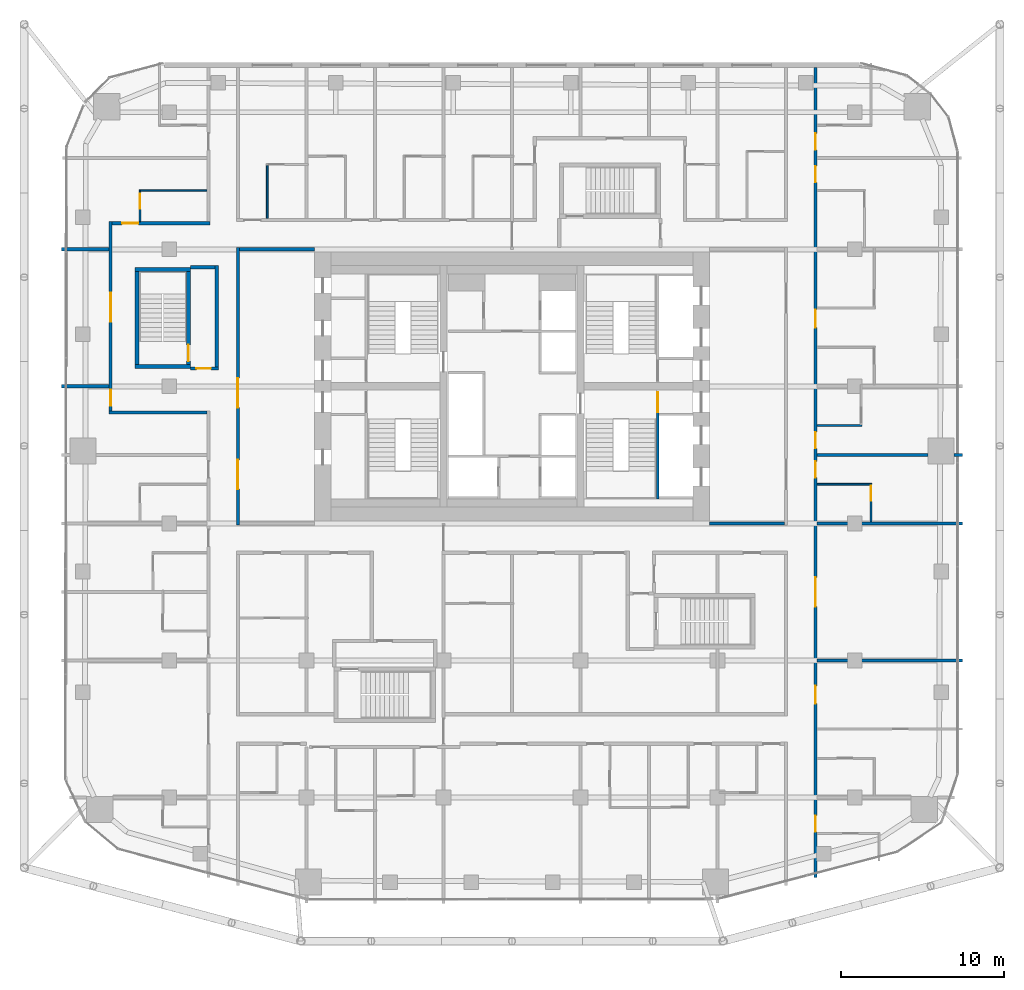
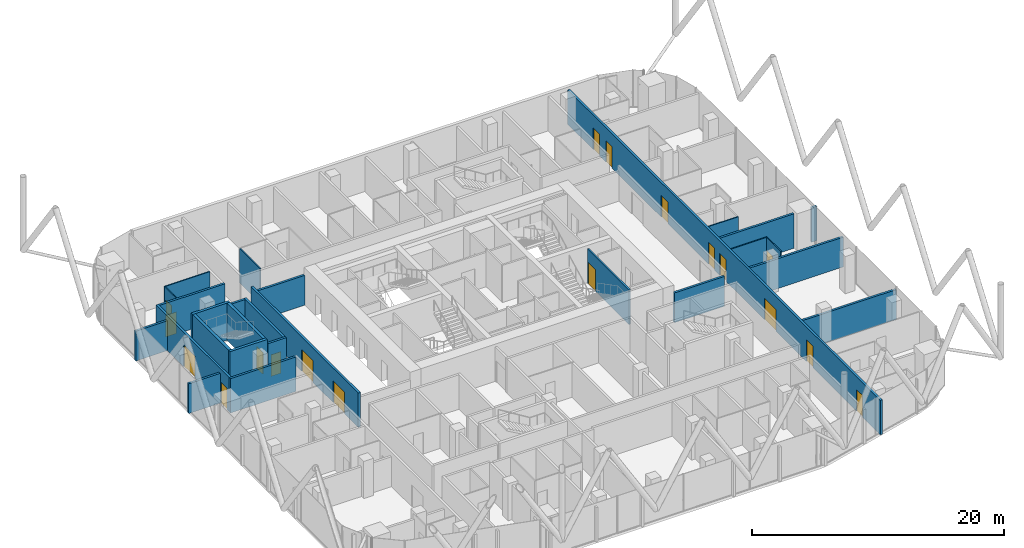
# One storey, part 27 of 33: 27 walls, 18 doors, 18 openings.
"""IFC4 building model written with IfcOpenShell, lengths in metres."""

from ifc_helpers import new_model, si_unit, direction, frame, frame_2d, origin, place, context, subcontext, project, spatial, rectangle, extrude, material, layer, layer_set, type_object, element, fill, save


model = new_model("IFC4")

# Units and contexts
model_context = context("Model", 3, precision=1e-05, world=origin(), true_north=direction((0.0, 1.0)))
body_context = subcontext(model_context, "Body", "Model", "MODEL_VIEW")
ifc_project = project(units=[si_unit("LENGTHUNIT", "METRE"), si_unit("AREAUNIT", "SQUARE_METRE"), si_unit("VOLUMEUNIT", "CUBIC_METRE"), si_unit("PLANEANGLEUNIT", "RADIAN"), si_unit("MASSUNIT", "GRAM", prefix="KILO")], contexts=[model_context])

# Site, building, storey
site_placement = place(None, origin())
site = spatial("IfcSite", under=ifc_project, at=site_placement, CompositionType="ELEMENT")
building_placement = place(site_placement, origin())
building = spatial("IfcBuilding", under=site, at=building_placement, Name="Marenta Gate Hotel Tower", CompositionType="ELEMENT")
storey_placement = place(building_placement, frame((0.0, 0.0, 122.89990234375)))
storey = spatial("IfcBuildingStorey", under=building, at=storey_placement, Name="L27", CompositionType="ELEMENT", Elevation=122.89990234375)

# Wall, openings, doors
ifc_material_1 = material(Name="Concrete blockwork", Category="masonry")
ifc_layer_1 = layer(ifc_material_1, 0.199951171875)
ifc_layer_set_1 = layer_set([ifc_layer_1], Name="Concrete blockwork")
wall_type_1 = type_object("IfcWallType", Name="Core boundary wall 200 REI 180", PredefinedType="PARTITIONING", material=ifc_layer_set_1)
wall_1_placement = place(storey_placement, frame((-16.800048828125, -0.10009765625, 0.0), z_axis=(0.0, 0.0, 1.0), x_axis=(0.0, 1.0, 0.0)))
wall_1 = element("IfcWall", 1, at=wall_1_placement, inside=storey, type_object=wall_type_1, Name="L27-CP-BW-W", PredefinedType="PARTITIONING", context=body_context, shape_type="SweptSolid", body=[
    extrude(rectangle(XDim=17.0, YDim=0.199951171875, at=frame_2d((8.5, 0.0))), origin(), (0.0, 0.0, 1.0), 3.340087890625),
])
opening_1_placement = place(wall_1_placement, frame((2.199951171875, 0.0, 0.0)))
opening_1 = element("IfcOpeningElement", 2, at=opening_1_placement, cuts=wall_1, Name="Opening ED-Wa-B", PredefinedType="OPENING", context=body_context, shape_type="SweptSolid", body=[
    extrude(rectangle(XDim=1.800048828125, YDim=2.10009765625, at=frame_2d((0.89990234375, 1.050048828125))), frame((0.0, 0.10009765625, 0.0), z_axis=(0.0, -1.0, 0.0), x_axis=(1.0, 0.0, 0.0)), (0.0, 0.0, 1.0), 0.199951171875),
])
opening_2_placement = place(wall_1_placement, frame((7.199951171875, 0.0, 0.0)))
opening_2 = element("IfcOpeningElement", 3, at=opening_2_placement, cuts=wall_1, Name="Opening ED-Wb-B", PredefinedType="OPENING", context=body_context, shape_type="SweptSolid", body=[
    extrude(rectangle(XDim=1.800048828125, YDim=2.10009765625, at=frame_2d((0.89990234375, 1.050048828125))), frame((0.0, 0.10009765625, 0.0), z_axis=(0.0, -1.0, 0.0), x_axis=(1.0, 0.0, 0.0)), (0.0, 0.0, 1.0), 0.199951171875),
])
ifc_material_2 = material(Name="Steel", Category="steel")
door_type_1 = type_object("IfcDoorType", Name="Core lobby entrance door 1800x2100 EI 60", OperationType="DOUBLE_DOOR_SINGLE_SWING", PredefinedType="DOOR", material=ifc_material_2)
door_1_placement = place(opening_1_placement, origin())
door_1 = element("IfcDoor", 4, at=door_1_placement, inside=storey, type_object=door_type_1, Name="ED-Wa-B", OperationType="DOUBLE_DOOR_SINGLE_SWING", OverallHeight=2.10009765625, OverallWidth=1.800048828125, PredefinedType="DOOR", context=body_context, shape_type="SweptSolid", body=[
    extrude(rectangle(XDim=1.800048828125, YDim=2.10009765625, at=frame_2d((0.89990234375, 1.050048828125))), frame((0.0, 0.02490234375, 0.0), z_axis=(0.0, -1.0, 0.0), x_axis=(1.0, 0.0, 0.0)), (0.0, 0.0, 1.0), 0.050048828125),
])
fill(opening_1, door_1)
door_2_placement = place(opening_2_placement, origin())
door_2 = element("IfcDoor", 5, at=door_2_placement, inside=storey, type_object=door_type_1, Name="ED-Wb-B", OperationType="DOUBLE_DOOR_SINGLE_SWING", OverallHeight=2.10009765625, OverallWidth=1.800048828125, PredefinedType="DOOR", context=body_context, shape_type="SweptSolid", body=[
    extrude(rectangle(XDim=1.800048828125, YDim=2.10009765625, at=frame_2d((0.89990234375, 1.050048828125))), frame((0.0, 0.02490234375, 0.0), z_axis=(0.0, -1.0, 0.0), x_axis=(1.0, 0.0, 0.0)), (0.0, 0.0, 1.0), 0.050048828125),
])
fill(opening_2, door_2)

# Walls
for number, where, z_axis, x_axis, name in (
    (6, (-16.699951171875, 16.800048828125, 0.0), (0.0, 0.0, 1.0), (1.0, 0.0, 0.0), "L27-CP-EW-WN"),
    (7, (12.10009765625, 0.0, 0.0), (0.0, 0.0, 1.0), (1.0, 0.0, 0.0), "L27-CP-EW-ES"),
):
    element("IfcWall", number, at=place(storey_placement, frame(where, z_axis=z_axis, x_axis=x_axis)), inside=storey, type_object=wall_type_1, Name=name, PredefinedType="PARTITIONING", context=body_context, shape_type="SweptSolid", body=[
        extrude(rectangle(XDim=4.599853515625, YDim=0.199951171875, at=frame_2d((2.2998046875, 0.0))), origin(), (0.0, 0.0, 1.0), 2.89013671875),
    ])

# Wall, opening, door
ifc_material_3 = material(Name="Concrete C40", Category="concrete")
ifc_layer_2 = layer(ifc_material_3, 0.14990234375)
ifc_layer_set_2 = layer_set([ifc_layer_2], Name="Concrete C40")
wall_type_2 = type_object("IfcWallType", Name="Core stair enclosure wall 150 REI 180", PredefinedType="SHEAR", material=ifc_layer_set_2)
wall_2_placement = place(storey_placement, frame((8.925048828125, 1.5, 0.0), z_axis=(0.0, 0.0, 1.0), x_axis=(0.0, 1.0, 0.0)))
wall_2 = element("IfcWall", 8, at=wall_2_placement, inside=storey, type_object=wall_type_2, Name="L27-SHF-SW-ES-3", PredefinedType="SHEAR", context=body_context, shape_type="SweptSolid", body=[
    extrude(rectangle(XDim=6.60009765625, YDim=0.14990234375, at=frame_2d((3.300048828125, 0.0))), origin(), (0.0, 0.0, 1.0), 3.340087890625),
])
opening_3_placement = place(wall_2_placement, frame((5.324951171875, 0.0, 0.0)))
opening_3 = element("IfcOpeningElement", 9, at=opening_3_placement, cuts=wall_2, Name="Opening SD-ES", PredefinedType="OPENING", context=body_context, shape_type="SweptSolid", body=[
    extrude(rectangle(XDim=1.199951171875, YDim=2.10009765625, at=frame_2d((0.60009765625, 1.050048828125))), frame((0.0, 0.074951171875, 0.0), z_axis=(0.0, -1.0, 0.0), x_axis=(1.0, 0.0, 0.0)), (0.0, 0.0, 1.0), 0.14990234375),
])
ifc_material_4 = material(Name="Steel", Category="steel")
door_type_2 = type_object("IfcDoorType", Name="Core stair door 1200x2100 FD60", OperationType="SINGLE_SWING_LEFT", PredefinedType="DOOR", material=ifc_material_4)
door_3_placement = place(opening_3_placement, origin())
door_3 = element("IfcDoor", 10, at=door_3_placement, inside=storey, type_object=door_type_2, Name="SD-ES", OperationType="SINGLE_SWING_LEFT", OverallHeight=2.10009765625, OverallWidth=1.199951171875, PredefinedType="DOOR", context=body_context, shape_type="SweptSolid", body=[
    extrude(rectangle(XDim=1.199951171875, YDim=2.10009765625, at=frame_2d((0.60009765625, 1.050048828125))), frame((0.0, 0.02490234375, 0.0), z_axis=(0.0, -1.0, 0.0), x_axis=(1.0, 0.0, 0.0)), (0.0, 0.0, 1.0), 0.050048828125),
])
fill(opening_3, door_3)

# Walls
ifc_material_5 = material(Name="Concrete C40", Category="concrete")
ifc_layer_3 = layer(ifc_material_5, 0.25)
ifc_layer_set_3 = layer_set([ifc_layer_3], Name="Concrete C40")
wall_type_3 = type_object("IfcWallType", Name="Remote stair enclosure wall 250 REI 180", PredefinedType="SHEAR", material=ifc_layer_set_3)
for number, where, z_axis, x_axis, name in (
    (11, (-23.10009765625, 9.625, 0.10009765625), (0.0, 0.0, 1.0), (1.0, 0.0, 0.0), "L27-RS-Z1-3-W1"),
    (12, (-23.10009765625, 15.574951171875, 0.10009765625), (0.0, 0.0, 1.0), (1.0, 0.0, 0.0), "L27-RS-Z1-3-W2"),
):
    element("IfcWall", number, at=place(storey_placement, frame(where, z_axis=z_axis, x_axis=x_axis)), inside=storey, type_object=wall_type_3, Name=name, PredefinedType="SHEAR", context=body_context, shape_type="SweptSolid", body=[
        extrude(rectangle(XDim=3.400146484375, YDim=0.25, at=frame_2d((1.7001953125, 0.0))), origin(), (0.0, 0.0, 1.0), 3.60009765625),
    ])
wall_3_placement = place(storey_placement, frame((-22.97509765625, 9.75, 0.10009765625), z_axis=(0.0, 0.0, 1.0), x_axis=(0.0, 1.0, 0.0)))
element("IfcWall", 13, at=wall_3_placement, inside=storey, type_object=wall_type_3, Name="L27-RS-Z1-3-W3", PredefinedType="SHEAR", context=body_context, shape_type="SweptSolid", body=[
    extrude(rectangle(XDim=5.699951171875, YDim=0.25, at=frame_2d((2.85009765625, 0.0))), origin(), (0.0, 0.0, 1.0), 3.60009765625),
])

# Wall, opening, door
wall_4_placement = place(storey_placement, frame((-19.824951171875, 9.75, 0.10009765625), z_axis=(0.0, 0.0, 1.0), x_axis=(0.0, 1.0, 0.0)))
wall_4 = element("IfcWall", 14, at=wall_4_placement, inside=storey, type_object=wall_type_3, Name="L27-RS-Z1-3-W4", PredefinedType="SHEAR", context=body_context, shape_type="SweptSolid", body=[
    extrude(rectangle(XDim=5.699951171875, YDim=0.25, at=frame_2d((2.85009765625, 0.0))), origin(), (0.0, 0.0, 1.0), 3.60009765625),
])
opening_4_placement = place(wall_4_placement, frame((0.199951171875, 0.0, 0.0)))
opening_4 = element("IfcOpeningElement", 15, at=opening_4_placement, cuts=wall_4, Name="Opening VD", PredefinedType="OPENING", context=body_context, shape_type="SweptSolid", body=[
    extrude(rectangle(XDim=1.0, YDim=2.10009765625, at=frame_2d((0.5, 1.050048828125))), frame((0.0, 0.125, 0.0), z_axis=(0.0, -1.0, 0.0), x_axis=(1.0, 0.0, 0.0)), (0.0, 0.0, 1.0), 0.25),
])
ifc_material_6 = material(Name="Steel", Category="steel")
door_type_3 = type_object("IfcDoorType", Name="Stair vestibule door 1000x2100 FD60", OperationType="SINGLE_SWING_LEFT", PredefinedType="DOOR", material=ifc_material_6)
door_4_placement = place(opening_4_placement, origin())
door_4 = element("IfcDoor", 16, at=door_4_placement, inside=storey, type_object=door_type_3, Name="VD", OperationType="SINGLE_SWING_LEFT", OverallHeight=2.10009765625, OverallWidth=1.0, PredefinedType="DOOR", context=body_context, shape_type="SweptSolid", body=[
    extrude(rectangle(XDim=1.0, YDim=2.10009765625, at=frame_2d((0.5, 1.050048828125))), frame((0.0, 0.02490234375, 0.0), z_axis=(0.0, -1.0, 0.0), x_axis=(1.0, 0.0, 0.0)), (0.0, 0.0, 1.0), 0.050048828125),
])
fill(opening_4, door_4)

# Wall, openings, doors
ifc_material_7 = material(Name="Gypsum board on steel stud", Category="steel")
ifc_layer_4 = layer(ifc_material_7, 0.199951171875)
ifc_layer_set_4 = layer_set([ifc_layer_4], Name="Gypsum board on steel stud")
wall_type_4 = type_object("IfcWallType", Name="Room corridor wall 200 EI 60", PredefinedType="PARTITIONING", material=ifc_layer_set_4)
wall_5_placement = place(storey_placement, frame((18.60009765625, -21.7080078125, 0.0), z_axis=(0.0, 0.0, 1.0), x_axis=(0.0, 1.0, 0.0)))
wall_5 = element("IfcWall", 17, at=wall_5_placement, inside=storey, type_object=wall_type_4, Name="L27-PTN-W010", PredefinedType="PARTITIONING", context=body_context, shape_type="SweptSolid", body=[
    extrude(rectangle(XDim=49.64794921875, YDim=0.199951171875, at=frame_2d((24.823974609375, 0.0))), origin(), (0.0, 0.0, 1.0), 3.340087890625),
])
opening_5_placement = place(wall_5_placement, frame((2.800048828125, 0.0, 0.0)))
opening_5 = element("IfcOpeningElement", 18, at=opening_5_placement, cuts=wall_5, Name="Opening G09-09", PredefinedType="OPENING", context=body_context, shape_type="SweptSolid", body=[
    extrude(rectangle(XDim=1.0, YDim=2.10009765625, at=frame_2d((0.5, 1.050048828125))), frame((0.0, 0.10009765625, 0.0), z_axis=(0.0, -1.0, 0.0), x_axis=(1.0, 0.0, 0.0)), (0.0, 0.0, 1.0), 0.199951171875),
])
opening_6_placement = place(wall_5_placement, frame((10.657958984375, 0.0, 0.0)))
opening_6 = element("IfcOpeningElement", 19, at=opening_6_placement, cuts=wall_5, Name="Opening G09-11", PredefinedType="OPENING", context=body_context, shape_type="SweptSolid", body=[
    extrude(rectangle(XDim=1.10009765625, YDim=2.10009765625, at=frame_2d((0.550048828125, 1.050048828125))), frame((0.0, 0.10009765625, 0.0), z_axis=(0.0, -1.0, 0.0), x_axis=(1.0, 0.0, 0.0)), (0.0, 0.0, 1.0), 0.199951171875),
])
opening_7_placement = place(wall_5_placement, frame((16.60791015625, 0.0, 0.0)))
opening_7 = element("IfcOpeningElement", 20, at=opening_7_placement, cuts=wall_5, Name="Opening G09-14", PredefinedType="OPENING", context=body_context, shape_type="SweptSolid", body=[
    extrude(rectangle(XDim=1.800048828125, YDim=2.10009765625, at=frame_2d((0.89990234375, 1.050048828125))), frame((0.0, 0.10009765625, 0.0), z_axis=(0.0, -1.0, 0.0), x_axis=(1.0, 0.0, 0.0)), (0.0, 0.0, 1.0), 0.199951171875),
])
opening_8_placement = place(wall_5_placement, frame((24.508056640625, 0.0, 0.0)))
opening_8 = element("IfcOpeningElement", 21, at=opening_8_placement, cuts=wall_5, Name="Opening G09-15", PredefinedType="OPENING", context=body_context, shape_type="SweptSolid", body=[
    extrude(rectangle(XDim=1.0, YDim=2.10009765625, at=frame_2d((0.5, 1.050048828125))), frame((0.0, 0.10009765625, 0.0), z_axis=(0.0, -1.0, 0.0), x_axis=(1.0, 0.0, 0.0)), (0.0, 0.0, 1.0), 0.199951171875),
])
opening_9_placement = place(wall_5_placement, frame((26.30810546875, 0.0, 0.0)))
opening_9 = element("IfcOpeningElement", 22, at=opening_9_placement, cuts=wall_5, Name="Opening G09-17", PredefinedType="OPENING", context=body_context, shape_type="SweptSolid", body=[
    extrude(rectangle(XDim=1.0, YDim=2.10009765625, at=frame_2d((0.5, 1.050048828125))), frame((0.0, 0.10009765625, 0.0), z_axis=(0.0, -1.0, 0.0), x_axis=(1.0, 0.0, 0.0)), (0.0, 0.0, 1.0), 0.199951171875),
])
opening_10_placement = place(wall_5_placement, frame((33.7080078125, 0.0, 0.0)))
opening_10 = element("IfcOpeningElement", 23, at=opening_10_placement, cuts=wall_5, Name="Opening G09-19", PredefinedType="OPENING", context=body_context, shape_type="SweptSolid", body=[
    extrude(rectangle(XDim=1.10009765625, YDim=2.10009765625, at=frame_2d((0.550048828125, 1.050048828125))), frame((0.0, 0.10009765625, 0.0), z_axis=(0.0, -1.0, 0.0), x_axis=(1.0, 0.0, 0.0)), (0.0, 0.0, 1.0), 0.199951171875),
])
opening_11_placement = place(wall_5_placement, frame((42.60791015625, 0.0, 0.0)))
opening_11 = element("IfcOpeningElement", 24, at=opening_11_placement, cuts=wall_5, Name="Opening G09-22", PredefinedType="OPENING", context=body_context, shape_type="SweptSolid", body=[
    extrude(rectangle(XDim=1.0, YDim=2.10009765625, at=frame_2d((0.5, 1.050048828125))), frame((0.0, 0.10009765625, 0.0), z_axis=(0.0, -1.0, 0.0), x_axis=(1.0, 0.0, 0.0)), (0.0, 0.0, 1.0), 0.199951171875),
])
opening_12_placement = place(wall_5_placement, frame((44.60791015625, 0.0, 0.0)))
opening_12 = element("IfcOpeningElement", 25, at=opening_12_placement, cuts=wall_5, Name="Opening G09-24", PredefinedType="OPENING", context=body_context, shape_type="SweptSolid", body=[
    extrude(rectangle(XDim=1.0, YDim=2.10009765625, at=frame_2d((0.5, 1.050048828125))), frame((0.0, 0.10009765625, 0.0), z_axis=(0.0, -1.0, 0.0), x_axis=(1.0, 0.0, 0.0)), (0.0, 0.0, 1.0), 0.199951171875),
])
ifc_material_8 = material(Name="Timber door leaf", Category="wood")
door_type_4 = type_object("IfcDoorType", Name="Guest room door 1000x2100 EI 30", OperationType="NOTDEFINED", PredefinedType="DOOR", material=ifc_material_8)
door_5_placement = place(opening_5_placement, origin())
door_5 = element("IfcDoor", 26, at=door_5_placement, inside=storey, type_object=door_type_4, Name="L27-PD-D009", OperationType="SINGLE_SWING_RIGHT", OverallHeight=2.10009765625, OverallWidth=1.0, PredefinedType="DOOR", context=body_context, shape_type="SweptSolid", body=[
    extrude(rectangle(XDim=1.0, YDim=2.10009765625, at=frame_2d((0.5, 1.050048828125))), frame((0.0, 0.02490234375, 0.0), z_axis=(0.0, -1.0, 0.0), x_axis=(1.0, 0.0, 0.0)), (0.0, 0.0, 1.0), 0.050048828125),
])
fill(opening_5, door_5)
door_6_placement = place(opening_8_placement, origin())
door_6 = element("IfcDoor", 27, at=door_6_placement, inside=storey, type_object=door_type_4, Name="L27-PD-D015", OperationType="SINGLE_SWING_LEFT", OverallHeight=2.10009765625, OverallWidth=1.0, PredefinedType="DOOR", context=body_context, shape_type="SweptSolid", body=[
    extrude(rectangle(XDim=1.0, YDim=2.10009765625, at=frame_2d((0.5, 1.050048828125))), frame((0.0, 0.02490234375, 0.0), z_axis=(0.0, -1.0, 0.0), x_axis=(1.0, 0.0, 0.0)), (0.0, 0.0, 1.0), 0.050048828125),
])
fill(opening_8, door_6)
door_7_placement = place(opening_9_placement, origin())
door_7 = element("IfcDoor", 28, at=door_7_placement, inside=storey, type_object=door_type_4, Name="L27-PD-D017", OperationType="SINGLE_SWING_LEFT", OverallHeight=2.10009765625, OverallWidth=1.0, PredefinedType="DOOR", context=body_context, shape_type="SweptSolid", body=[
    extrude(rectangle(XDim=1.0, YDim=2.10009765625, at=frame_2d((0.5, 1.050048828125))), frame((0.0, 0.02490234375, 0.0), z_axis=(0.0, -1.0, 0.0), x_axis=(1.0, 0.0, 0.0)), (0.0, 0.0, 1.0), 0.050048828125),
])
fill(opening_9, door_7)
door_8_placement = place(opening_11_placement, origin())
door_8 = element("IfcDoor", 29, at=door_8_placement, inside=storey, type_object=door_type_4, Name="L27-PD-D022", OperationType="SINGLE_SWING_RIGHT", OverallHeight=2.10009765625, OverallWidth=1.0, PredefinedType="DOOR", context=body_context, shape_type="SweptSolid", body=[
    extrude(rectangle(XDim=1.0, YDim=2.10009765625, at=frame_2d((0.5, 1.050048828125))), frame((0.0, 0.02490234375, 0.0), z_axis=(0.0, -1.0, 0.0), x_axis=(1.0, 0.0, 0.0)), (0.0, 0.0, 1.0), 0.050048828125),
])
fill(opening_11, door_8)
door_9_placement = place(opening_12_placement, origin())
door_9 = element("IfcDoor", 30, at=door_9_placement, inside=storey, type_object=door_type_4, Name="L27-PD-D024", OperationType="SINGLE_SWING_RIGHT", OverallHeight=2.10009765625, OverallWidth=1.0, PredefinedType="DOOR", context=body_context, shape_type="SweptSolid", body=[
    extrude(rectangle(XDim=1.0, YDim=2.10009765625, at=frame_2d((0.5, 1.050048828125))), frame((0.0, 0.02490234375, 0.0), z_axis=(0.0, -1.0, 0.0), x_axis=(1.0, 0.0, 0.0)), (0.0, 0.0, 1.0), 0.050048828125),
])
fill(opening_12, door_9)
ifc_material_9 = material(Name="Timber door leaf", Category="wood")
door_type_5 = type_object("IfcDoorType", Name="Guest room door 1100x2100 EI 30", OperationType="NOTDEFINED", PredefinedType="DOOR", material=ifc_material_9)
door_10_placement = place(opening_6_placement, origin())
door_10 = element("IfcDoor", 31, at=door_10_placement, inside=storey, type_object=door_type_5, Name="L27-PD-D011", OperationType="SINGLE_SWING_LEFT", OverallHeight=2.10009765625, OverallWidth=1.10009765625, PredefinedType="DOOR", context=body_context, shape_type="SweptSolid", body=[
    extrude(rectangle(XDim=1.10009765625, YDim=2.10009765625, at=frame_2d((0.550048828125, 1.050048828125))), frame((0.0, 0.02490234375, 0.0), z_axis=(0.0, -1.0, 0.0), x_axis=(1.0, 0.0, 0.0)), (0.0, 0.0, 1.0), 0.050048828125),
])
fill(opening_6, door_10)
door_11_placement = place(opening_10_placement, origin())
door_11 = element("IfcDoor", 32, at=door_11_placement, inside=storey, type_object=door_type_5, Name="L27-PD-D019", OperationType="SINGLE_SWING_LEFT", OverallHeight=2.10009765625, OverallWidth=1.10009765625, PredefinedType="DOOR", context=body_context, shape_type="SweptSolid", body=[
    extrude(rectangle(XDim=1.10009765625, YDim=2.10009765625, at=frame_2d((0.550048828125, 1.050048828125))), frame((0.0, 0.02490234375, 0.0), z_axis=(0.0, -1.0, 0.0), x_axis=(1.0, 0.0, 0.0)), (0.0, 0.0, 1.0), 0.050048828125),
])
fill(opening_10, door_11)
ifc_material_10 = material(Name="Timber door leaf", Category="wood")
door_type_6 = type_object("IfcDoorType", Name="Room amenity door 1800x2100 EI 30", OperationType="DOUBLE_DOOR_SINGLE_SWING", PredefinedType="DOOR", material=ifc_material_10)
door_12_placement = place(opening_7_placement, origin())
door_12 = element("IfcDoor", 33, at=door_12_placement, inside=storey, type_object=door_type_6, Name="L27-PD-D014", OperationType="DOUBLE_DOOR_SINGLE_SWING", OverallHeight=2.10009765625, OverallWidth=1.800048828125, PredefinedType="DOOR", context=body_context, shape_type="SweptSolid", body=[
    extrude(rectangle(XDim=1.800048828125, YDim=2.10009765625, at=frame_2d((0.89990234375, 1.050048828125))), frame((0.0, 0.02490234375, 0.0), z_axis=(0.0, -1.0, 0.0), x_axis=(1.0, 0.0, 0.0)), (0.0, 0.0, 1.0), 0.050048828125),
])
fill(opening_7, door_12)

# Wall
wall_6_placement = place(storey_placement, frame((-24.699951171875, 6.800048828125, 0.0), z_axis=(0.0, 0.0, 1.0), x_axis=(1.0, 0.0, 0.0)))
element("IfcWall", 34, at=wall_6_placement, inside=storey, type_object=wall_type_4, Name="L27-PTN-W079", PredefinedType="PARTITIONING", context=body_context, shape_type="SweptSolid", body=[
    extrude(rectangle(XDim=6.0, YDim=0.199951171875, at=frame_2d((3.0, 0.0))), origin(), (0.0, 0.0, 1.0), 3.340087890625),
])

# Wall, opening, door
wall_7_placement = place(storey_placement, frame((-24.5, 18.39990234375, 0.0), z_axis=(0.0, 0.0, 1.0), x_axis=(1.0, 0.0, 0.0)))
wall_7 = element("IfcWall", 35, at=wall_7_placement, inside=storey, type_object=wall_type_4, Name="L27-PTN-W103", PredefinedType="PARTITIONING", context=body_context, shape_type="SweptSolid", body=[
    extrude(rectangle(XDim=6.0, YDim=0.199951171875, at=frame_2d((3.0, 0.0))), origin(), (0.0, 0.0, 1.0), 3.340087890625),
])
opening_13_placement = place(wall_7_placement, frame((0.60009765625, 0.0, 0.0)))
opening_13 = element("IfcOpeningElement", 36, at=opening_13_placement, cuts=wall_7, Name="Opening G09-64", PredefinedType="OPENING", context=body_context, shape_type="SweptSolid", body=[
    extrude(rectangle(XDim=1.0, YDim=2.10009765625, at=frame_2d((0.5, 1.050048828125))), frame((0.0, 0.10009765625, 0.0), z_axis=(0.0, -1.0, 0.0), x_axis=(1.0, 0.0, 0.0)), (0.0, 0.0, 1.0), 0.199951171875),
])
door_13_placement = place(opening_13_placement, origin())
door_13 = element("IfcDoor", 37, at=door_13_placement, inside=storey, type_object=door_type_4, Name="L27-PD-D064", OperationType="SINGLE_SWING_RIGHT", OverallHeight=2.10009765625, OverallWidth=1.0, PredefinedType="DOOR", context=body_context, shape_type="SweptSolid", body=[
    extrude(rectangle(XDim=1.0, YDim=2.10009765625, at=frame_2d((0.5, 1.050048828125))), frame((0.0, 0.02490234375, 0.0), z_axis=(0.0, -1.0, 0.0), x_axis=(1.0, 0.0, 0.0)), (0.0, 0.0, 1.0), 0.050048828125),
])
fill(opening_13, door_13)

# Wall, openings, doors
wall_8_placement = place(storey_placement, frame((-24.60009765625, 6.89990234375, 0.0), z_axis=(0.0, 0.0, 1.0), x_axis=(0.0, 1.0, 0.0)))
wall_8 = element("IfcWall", 38, at=wall_8_placement, inside=storey, type_object=wall_type_4, Name="L27-PTN-W128", PredefinedType="PARTITIONING", context=body_context, shape_type="SweptSolid", body=[
    extrude(rectangle(XDim=11.60009765625, YDim=0.199951171875, at=frame_2d((5.800048828125, 0.0))), origin(), (0.0, 0.0, 1.0), 3.340087890625),
])
opening_14_placement = place(wall_8_placement, frame((5.449951171875, 0.0, 0.0)))
opening_14 = element("IfcOpeningElement", 39, at=opening_14_placement, cuts=wall_8, Name="Opening G09-63", PredefinedType="OPENING", context=body_context, shape_type="SweptSolid", body=[
    extrude(rectangle(XDim=1.800048828125, YDim=2.10009765625, at=frame_2d((0.89990234375, 1.050048828125))), frame((0.0, 0.10009765625, 0.0), z_axis=(0.0, -1.0, 0.0), x_axis=(1.0, 0.0, 0.0)), (0.0, 0.0, 1.0), 0.199951171875),
])
opening_15_placement = place(wall_8_placement, frame((0.300048828125, 0.0, 0.0)))
opening_15 = element("IfcOpeningElement", 40, at=opening_15_placement, cuts=wall_8, Name="Opening G09-72", PredefinedType="OPENING", context=body_context, shape_type="SweptSolid", body=[
    extrude(rectangle(XDim=1.0, YDim=2.10009765625, at=frame_2d((0.5, 1.050048828125))), frame((0.0, 0.10009765625, 0.0), z_axis=(0.0, -1.0, 0.0), x_axis=(1.0, 0.0, 0.0)), (0.0, 0.0, 1.0), 0.199951171875),
])
ifc_material_11 = material(Name="Timber door leaf", Category="wood")
door_type_7 = type_object("IfcDoorType", Name="Room amenity door 1000x2100 EI 30", OperationType="NOTDEFINED", PredefinedType="DOOR", material=ifc_material_11)
door_14_placement = place(opening_15_placement, origin())
door_14 = element("IfcDoor", 41, at=door_14_placement, inside=storey, type_object=door_type_7, Name="L27-PD-D072", OperationType="SINGLE_SWING_LEFT", OverallHeight=2.10009765625, OverallWidth=1.0, PredefinedType="DOOR", context=body_context, shape_type="SweptSolid", body=[
    extrude(rectangle(XDim=1.0, YDim=2.10009765625, at=frame_2d((0.5, 1.050048828125))), frame((0.0, 0.02490234375, 0.0), z_axis=(0.0, -1.0, 0.0), x_axis=(1.0, 0.0, 0.0)), (0.0, 0.0, 1.0), 0.050048828125),
])
fill(opening_15, door_14)
door_15_placement = place(opening_14_placement, origin())
door_15 = element("IfcDoor", 42, at=door_15_placement, inside=storey, type_object=door_type_6, Name="L27-PD-D063", OperationType="DOUBLE_DOOR_SINGLE_SWING", OverallHeight=2.10009765625, OverallWidth=1.800048828125, PredefinedType="DOOR", context=body_context, shape_type="SweptSolid", body=[
    extrude(rectangle(XDim=1.800048828125, YDim=2.10009765625, at=frame_2d((0.89990234375, 1.050048828125))), frame((0.0, 0.02490234375, 0.0), z_axis=(0.0, -1.0, 0.0), x_axis=(1.0, 0.0, 0.0)), (0.0, 0.0, 1.0), 0.050048828125),
])
fill(opening_14, door_15)

# Wall, opening, door
ifc_material_12 = material(Name="Concrete blockwork", Category="masonry")
ifc_layer_5 = layer(ifc_material_12, 0.199951171875)
ifc_layer_set_5 = layer_set([ifc_layer_5], Name="Concrete blockwork")
wall_type_5 = type_object("IfcWallType", Name="Room corridor wall 200 REI 180", PredefinedType="PARTITIONING", material=ifc_layer_set_5)
wall_9_placement = place(storey_placement, frame((-19.699951171875, 9.5, 0.0), z_axis=(0.0, 0.0, 1.0), x_axis=(1.0, 0.0, 0.0)))
wall_9 = element("IfcWall", 43, at=wall_9_placement, inside=storey, type_object=wall_type_5, Name="L27-PTN-W085", PredefinedType="PARTITIONING", context=body_context, shape_type="SweptSolid", body=[
    extrude(rectangle(XDim=1.699951171875, YDim=0.199951171875, at=frame_2d((0.85009765625, 0.0))), origin(), (0.0, 0.0, 1.0), 3.340087890625),
])
opening_16_placement = place(wall_9_placement, frame((0.35009765625, 0.0, 0.0)))
opening_16 = element("IfcOpeningElement", 44, at=opening_16_placement, cuts=wall_9, Name="Opening G09-68", PredefinedType="OPENING", context=body_context, shape_type="SweptSolid", body=[
    extrude(rectangle(XDim=0.89990234375, YDim=2.10009765625, at=frame_2d((0.449951171875, 1.050048828125))), frame((0.0, 0.10009765625, 0.0), z_axis=(0.0, -1.0, 0.0), x_axis=(1.0, 0.0, 0.0)), (0.0, 0.0, 1.0), 0.199951171875),
])
ifc_material_13 = material(Name="Hollow steel door set", Category="steel")
door_type_8 = type_object("IfcDoorType", Name="Stair vestibule door 900x2100 EI 60", OperationType="NOTDEFINED", PredefinedType="DOOR", material=ifc_material_13)
door_16_placement = place(opening_16_placement, origin())
door_16 = element("IfcDoor", 45, at=door_16_placement, inside=storey, type_object=door_type_8, Name="L27-PD-D068", OperationType="SINGLE_SWING_RIGHT", OverallHeight=2.10009765625, OverallWidth=0.89990234375, PredefinedType="DOOR", context=body_context, shape_type="SweptSolid", body=[
    extrude(rectangle(XDim=0.89990234375, YDim=2.10009765625, at=frame_2d((0.449951171875, 1.050048828125))), frame((0.0, 0.02490234375, 0.0), z_axis=(0.0, -1.0, 0.0), x_axis=(1.0, 0.0, 0.0)), (0.0, 0.0, 1.0), 0.050048828125),
])
fill(opening_16, door_16)

# Walls
wall_10_placement = place(storey_placement, frame((-19.699951171875, 15.699951171875, 0.0), z_axis=(0.0, 0.0, 1.0), x_axis=(1.0, 0.0, 0.0)))
element("IfcWall", 46, at=wall_10_placement, inside=storey, type_object=wall_type_5, Name="L27-PTN-W096", PredefinedType="PARTITIONING", context=body_context, shape_type="SweptSolid", body=[
    extrude(rectangle(XDim=1.5, YDim=0.199951171875, at=frame_2d((0.75, 0.0))), origin(), (0.0, 0.0, 1.0), 3.340087890625),
])
wall_11_placement = place(storey_placement, frame((-18.10009765625, 9.60009765625, 0.0), z_axis=(0.0, 0.0, 1.0), x_axis=(0.0, 1.0, 0.0)))
element("IfcWall", 47, at=wall_11_placement, inside=storey, type_object=wall_type_5, Name="L27-PTN-W102", PredefinedType="PARTITIONING", context=body_context, shape_type="SweptSolid", body=[
    extrude(rectangle(XDim=6.199951171875, YDim=0.199951171875, at=frame_2d((3.10009765625, 0.0))), origin(), (0.0, 0.0, 1.0), 3.340087890625),
])

# Wall, opening, door
ifc_material_14 = material(Name="Gypsum board on steel stud", Category="steel")
ifc_layer_6 = layer(ifc_material_14, 0.10009765625)
ifc_layer_set_6 = layer_set([ifc_layer_6], Name="Gypsum board on steel stud")
wall_type_6 = type_object("IfcWallType", Name="Room partition 100", PredefinedType="PARTITIONING", material=ifc_layer_set_6)
wall_12_placement = place(storey_placement, frame((22.0, 0.10009765625, 0.0), z_axis=(0.0, 0.0, 1.0), x_axis=(0.0, 1.0, 0.0)))
wall_12 = element("IfcWall", 48, at=wall_12_placement, inside=storey, type_object=wall_type_6, Name="L27-PTN-W005", PredefinedType="PARTITIONING", context=body_context, shape_type="SweptSolid", body=[
    extrude(rectangle(XDim=2.349853515625, YDim=0.10009765625, at=frame_2d((1.1748046875, 0.0))), origin(), (0.0, 0.0, 1.0), 3.340087890625),
])
opening_17_placement = place(wall_12_placement, frame((1.300048828125, 0.0, 0.0)))
opening_17 = element("IfcOpeningElement", 49, at=opening_17_placement, cuts=wall_12, Name="Opening G09-16", PredefinedType="OPENING", context=body_context, shape_type="SweptSolid", body=[
    extrude(rectangle(XDim=0.89990234375, YDim=2.10009765625, at=frame_2d((0.449951171875, 1.050048828125))), frame((0.0, 0.050048828125, 0.0), z_axis=(0.0, -1.0, 0.0), x_axis=(1.0, 0.0, 0.0)), (0.0, 0.0, 1.0), 0.10009765625),
])
ifc_material_15 = material(Name="Timber door leaf", Category="wood")
door_type_9 = type_object("IfcDoorType", Name="Guest bathroom door 900x2100", OperationType="NOTDEFINED", PredefinedType="DOOR", material=ifc_material_15)
door_17_placement = place(opening_17_placement, origin())
door_17 = element("IfcDoor", 50, at=door_17_placement, inside=storey, type_object=door_type_9, Name="L27-PD-D016", OperationType="SINGLE_SWING_RIGHT", OverallHeight=2.10009765625, OverallWidth=0.89990234375, PredefinedType="DOOR", context=body_context, shape_type="SweptSolid", body=[
    extrude(rectangle(XDim=0.89990234375, YDim=2.10009765625, at=frame_2d((0.449951171875, 1.050048828125))), frame((0.0, 0.02490234375, 0.0), z_axis=(0.0, -1.0, 0.0), x_axis=(1.0, 0.0, 0.0)), (0.0, 0.0, 1.0), 0.050048828125),
])
fill(opening_17, door_17)

# Walls
wall_13_placement = place(storey_placement, frame((18.699951171875, 2.39990234375, 0.0), z_axis=(0.0, 0.0, 1.0), x_axis=(1.0, 0.0, 0.0)))
element("IfcWall", 51, at=wall_13_placement, inside=storey, type_object=wall_type_6, Name="L27-PTN-W069", PredefinedType="PARTITIONING", context=body_context, shape_type="SweptSolid", body=[
    extrude(rectangle(XDim=3.25, YDim=0.10009765625, at=frame_2d((1.625, 0.0))), origin(), (0.0, 0.0, 1.0), 3.340087890625),
])
wall_14_placement = place(storey_placement, frame((18.699951171875, 6.0, 0.0), z_axis=(0.0, 0.0, 1.0), x_axis=(1.0, 0.0, 0.0)))
element("IfcWall", 52, at=wall_14_placement, inside=storey, type_object=wall_type_6, Name="L27-PTN-W077", PredefinedType="PARTITIONING", context=body_context, shape_type="SweptSolid", body=[
    extrude(rectangle(XDim=2.75, YDim=0.10009765625, at=frame_2d((1.375, 0.0))), origin(), (0.0, 0.0, 1.0), 3.340087890625),
])
wall_15_placement = place(storey_placement, frame((-15.0, 18.699951171875, 0.0), z_axis=(0.0, 0.0, 1.0), x_axis=(0.0, 1.0, 0.0)))
element("IfcWall", 53, at=wall_15_placement, inside=storey, type_object=wall_type_6, Name="L27-PTN-W095", PredefinedType="PARTITIONING", context=body_context, shape_type="SweptSolid", body=[
    extrude(rectangle(XDim=3.25, YDim=0.10009765625, at=frame_2d((1.625, 0.0))), origin(), (0.0, 0.0, 1.0), 3.340087890625),
])
wall_16_placement = place(storey_placement, frame((-22.85009765625, 20.39990234375, 0.0), z_axis=(0.0, 0.0, 1.0), x_axis=(1.0, 0.0, 0.0)))
element("IfcWall", 54, at=wall_16_placement, inside=storey, type_object=wall_type_6, Name="L27-PTN-W108", PredefinedType="PARTITIONING", context=body_context, shape_type="SweptSolid", body=[
    extrude(rectangle(XDim=4.150146484375, YDim=0.10009765625, at=frame_2d((2.0751953125, 0.0))), origin(), (0.0, 0.0, 1.0), 3.340087890625),
])

# Wall, opening, door
wall_17_placement = place(storey_placement, frame((-22.800048828125, 18.5, 0.0), z_axis=(0.0, 0.0, 1.0), x_axis=(0.0, 1.0, 0.0)))
wall_17 = element("IfcWall", 55, at=wall_17_placement, inside=storey, type_object=wall_type_6, Name="L27-PTN-W123", PredefinedType="PARTITIONING", context=body_context, shape_type="SweptSolid", body=[
    extrude(rectangle(XDim=1.85009765625, YDim=0.10009765625, at=frame_2d((0.925048828125, 0.0))), origin(), (0.0, 0.0, 1.0), 3.340087890625),
])
opening_18_placement = place(wall_17_placement, frame((0.800048828125, 0.0, 0.0)))
opening_18 = element("IfcOpeningElement", 56, at=opening_18_placement, cuts=wall_17, Name="Opening G09-65", PredefinedType="OPENING", context=body_context, shape_type="SweptSolid", body=[
    extrude(rectangle(XDim=0.89990234375, YDim=2.10009765625, at=frame_2d((0.449951171875, 1.050048828125))), frame((0.0, 0.050048828125, 0.0), z_axis=(0.0, -1.0, 0.0), x_axis=(1.0, 0.0, 0.0)), (0.0, 0.0, 1.0), 0.10009765625),
])
door_18_placement = place(opening_18_placement, origin())
door_18 = element("IfcDoor", 57, at=door_18_placement, inside=storey, type_object=door_type_9, Name="L27-PD-D065", OperationType="SINGLE_SWING_LEFT", OverallHeight=2.10009765625, OverallWidth=0.89990234375, PredefinedType="DOOR", context=body_context, shape_type="SweptSolid", body=[
    extrude(rectangle(XDim=0.89990234375, YDim=2.10009765625, at=frame_2d((0.449951171875, 1.050048828125))), frame((0.0, 0.02490234375, 0.0), z_axis=(0.0, -1.0, 0.0), x_axis=(1.0, 0.0, 0.0)), (0.0, 0.0, 1.0), 0.050048828125),
])
fill(opening_18, door_18)

# Walls
ifc_material_16 = material(Name="Gypsum board on steel stud", Category="steel")
ifc_layer_7 = layer(ifc_material_16, 0.199951171875)
ifc_layer_set_7 = layer_set([ifc_layer_7], Name="Gypsum board on steel stud")
wall_type_7 = type_object("IfcWallType", Name="Room party wall 200 EI 60", PredefinedType="PARTITIONING", material=ifc_layer_set_7)
for number, where, z_axis, x_axis, name in (
    (58, (18.699951171875, -8.39990234375, 0.0), (0.0, 0.0, 1.0), (1.0, 0.0, 0.0), "L27-PTN-W042"),
    (59, (18.699951171875, 0.0, 0.0), (0.0, 0.0, 1.0), (1.0, 0.0, 0.0), "L27-PTN-W066"),
):
    element("IfcWall", number, at=place(storey_placement, frame(where, z_axis=z_axis, x_axis=x_axis)), inside=storey, type_object=wall_type_7, Name=name, PredefinedType="PARTITIONING", context=body_context, shape_type="SweptSolid", body=[
        extrude(rectangle(XDim=8.900146484375, YDim=0.199951171875, at=frame_2d((4.4501953125, 0.0))), origin(), (0.0, 0.0, 1.0), 2.89013671875),
    ])
wall_18_placement = place(storey_placement, frame((18.699951171875, 4.199951171875, 0.0), z_axis=(0.0, 0.0, 1.0), x_axis=(1.0, 0.0, 0.0)))
element("IfcWall", 60, at=wall_18_placement, inside=storey, type_object=wall_type_7, Name="L27-PTN-W074", PredefinedType="PARTITIONING", context=body_context, shape_type="SweptSolid", body=[
    extrude(rectangle(XDim=6.800048828125, YDim=0.199951171875, at=frame_2d((3.39990234375, 0.0))), origin(), (0.0, 0.0, 1.0), 3.340087890625),
])
wall_19_placement = place(storey_placement, frame((27.10009765625, 4.199951171875, 0.0), z_axis=(0.0, 0.0, 1.0), x_axis=(1.0, 0.0, 0.0)))
element("IfcWall", 61, at=wall_19_placement, inside=storey, type_object=wall_type_7, Name="L27-PTN-W134", PredefinedType="PARTITIONING", context=body_context, shape_type="SweptSolid", body=[
    extrude(rectangle(XDim=0.5, YDim=0.199951171875, at=frame_2d((0.25, 0.0))), origin(), (0.0, 0.0, 1.0), 3.340087890625),
])
for number, where, z_axis, x_axis, name in (
    (62, (-27.60009765625, 8.39990234375, 0.0), (0.0, 0.0, 1.0), (1.0, 0.0, 0.0), "L27-PTN-W082"),
    (63, (-27.60009765625, 16.800048828125, 0.0), (0.0, 0.0, 1.0), (1.0, 0.0, 0.0), "L27-PTN-W100"),
):
    element("IfcWall", number, at=place(storey_placement, frame(where, z_axis=z_axis, x_axis=x_axis)), inside=storey, type_object=wall_type_7, Name=name, PredefinedType="PARTITIONING", context=body_context, shape_type="SweptSolid", body=[
        extrude(rectangle(XDim=2.900146484375, YDim=0.199951171875, at=frame_2d((1.4501953125, 0.0))), origin(), (0.0, 0.0, 1.0), 2.89013671875),
    ])

save(model, "model.ifc")
